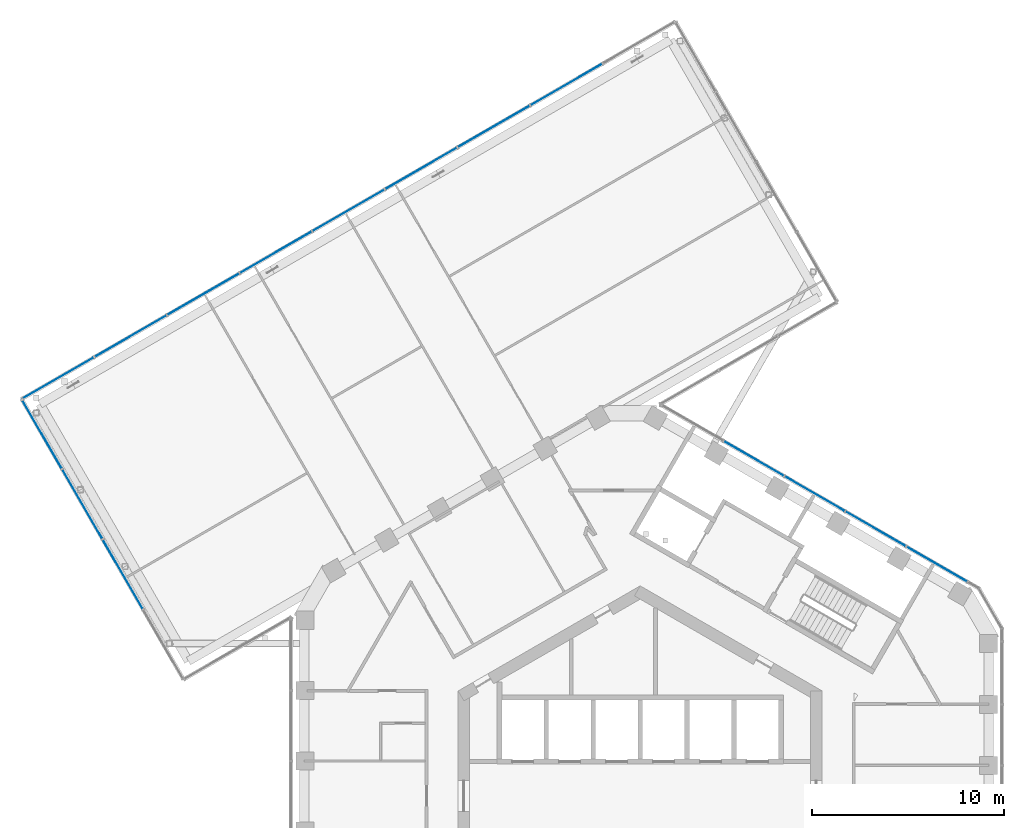
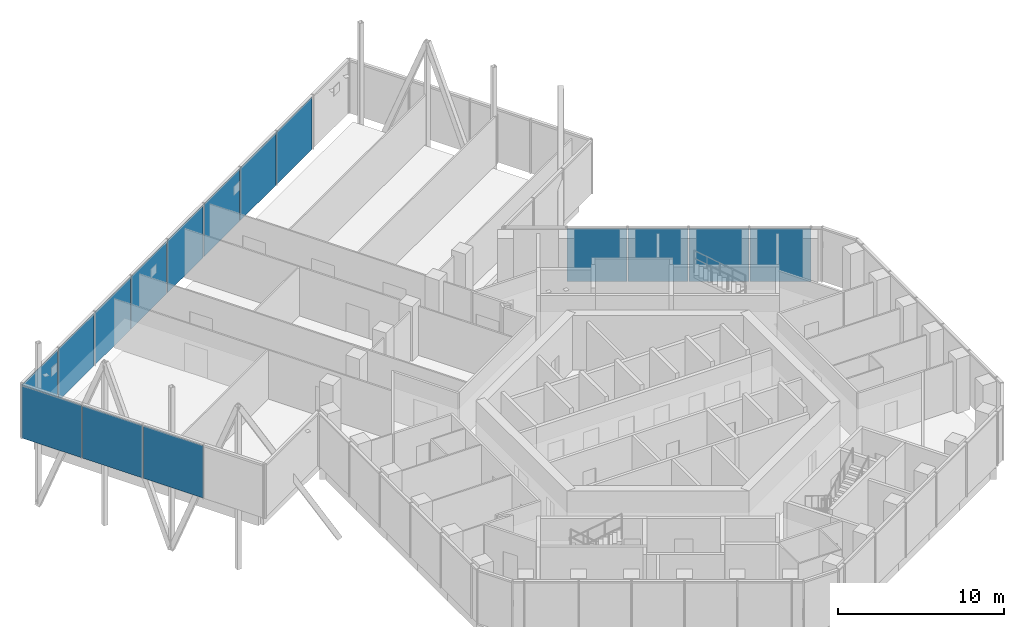
# One storey, part 13 of 21: 15 plates, 3 elements without a shape of their own.
"""IFC4 building model written with IfcOpenShell, lengths in metres."""

import ifcopenshell
import ifcopenshell.guid

model = None  # the IFC model being written
_history = None  # IfcOwnerHistory: only IFC2X3 demands one
_inside = {}  # id of a spatial element -> (the spatial element, [elements in it])
_under = {}  # id of a project, library or spatial element -> (it, [spatial elements below it])
_declared = {}  # id of a project -> (the project, [libraries it declares])
_typed = {}  # id of a type object -> (the type object, [elements of that type])
_made_of = {}  # id of a material, layer set ... -> (it, [elements and type objects made of it])


def new_model(schema):
    """Start an empty IFC model of exactly this schema.

    Asked for "IFC4X3", IfcOpenShell would pick the latest addendum, in which some entities
    have other attributes; the version numbers below select the first issue.
    IFC2X3 requires an IfcOwnerHistory on every rooted entity: one is made here for all.
    """
    global model, _history
    if schema == "IFC4X3":
        model = ifcopenshell.file(schema_version=(4, 3, 0, 0))
    else:
        model = ifcopenshell.file(schema=schema)
    _inside.clear()
    _under.clear()
    _declared.clear()
    _typed.clear()
    _made_of.clear()
    _history = None
    if model.schema == "IFC2X3":
        org = make("IfcOrganization", Name="unknown")
        user = make(
            "IfcPersonAndOrganization",
            ThePerson=make("IfcPerson", FamilyName="unknown"),
            TheOrganization=org,
        )
        app = make(
            "IfcApplication",
            ApplicationDeveloper=org,
            Version="unknown",
            ApplicationFullName="unknown",
            ApplicationIdentifier="unknown",
        )
        _history = make(
            "IfcOwnerHistory",
            OwningUser=user,
            OwningApplication=app,
            ChangeAction="ADDED",
            CreationDate=0,
        )
    return model


def make(cls, **values):
    """One entity of the class cls with the attributes given. An attribute that is None is left unset."""
    return model.create_entity(
        cls, **{name: value for name, value in values.items() if value is not None}
    )


def rooted(cls, **values):
    """An entity with a GlobalId (a new one), such as an element, a storey or a relation."""
    return make(cls, GlobalId=ifcopenshell.guid.new(), OwnerHistory=_history, **values)


def si_unit(unit_type, name, prefix=None):
    """IfcSIUnit, for example si_unit("LENGTHUNIT", "METRE", prefix="MILLI")."""
    return make("IfcSIUnit", UnitType=unit_type, Prefix=prefix, Name=name)


def assignment(units):
    """IfcUnitAssignment: the units of a project."""
    return None if units is None else make("IfcUnitAssignment", Units=units)


def point(xyz):
    """IfcCartesianPoint."""
    return None if xyz is None else make("IfcCartesianPoint", Coordinates=xyz)


def direction(xyz):
    """IfcDirection."""
    return None if xyz is None else make("IfcDirection", DirectionRatios=xyz)


def frame(location, z_axis=None, x_axis=None):
    """IfcAxis2Placement3D, a coordinate frame: its origin and axes. An axis left out is left unset."""
    return make(
        "IfcAxis2Placement3D",
        Location=point(location),
        Axis=direction(z_axis),
        RefDirection=direction(x_axis),
    )


def frame_2d(location, x_axis=None):
    """IfcAxis2Placement2D, a coordinate frame in the plane: its origin and x axis."""
    return make(
        "IfcAxis2Placement2D", Location=point(location), RefDirection=direction(x_axis)
    )


def origin():
    """The frame at (0, 0, 0) with its axes left unset."""
    return frame((0.0, 0.0, 0.0))


def origin_2d():
    """The frame at (0, 0) in the plane with its x axis left unset."""
    return frame_2d((0.0, 0.0))


def place(relative_to, where):
    """IfcLocalPlacement: puts the frame where relative to a parent placement (None: the world)."""
    return make(
        "IfcLocalPlacement", PlacementRelTo=relative_to, RelativePlacement=where
    )


def context(
    kind, dimensions, precision=None, world=None, true_north=None, identifier=None
):
    """IfcGeometricRepresentationContext, for example the 3D "Model" context."""
    return make(
        "IfcGeometricRepresentationContext",
        ContextIdentifier=identifier,
        ContextType=kind,
        CoordinateSpaceDimension=dimensions,
        Precision=precision,
        WorldCoordinateSystem=world,
        TrueNorth=true_north,
    )


def subcontext(parent, identifier, kind, view, scale=None):
    """IfcGeometricRepresentationSubContext, for example "Body" below "Model"."""
    return make(
        "IfcGeometricRepresentationSubContext",
        ContextIdentifier=identifier,
        ContextType=kind,
        ParentContext=parent,
        TargetScale=scale,
        TargetView=view,
    )


def project(units=None, contexts=None):
    """IfcProject with its units and contexts."""
    return rooted(
        "IfcProject",
        Name="project",
        RepresentationContexts=contexts,
        UnitsInContext=assignment(units),
    )


def spatial(cls, under=None, at=None, **own):
    """A site, building, storey or space (cls), placed at a placement, below another one or the project."""
    s = rooted(cls, ObjectPlacement=at, **own)
    if under is not None:
        _under.setdefault(under.id(), (under, []))[1].append(s)
    return s


def profile(cls, at=None, kind="AREA", **sizes):
    """A parametric profile (cls). Its sizes go by their IFC names, for example OverallWidth=200.0."""
    return make(cls, ProfileType=kind, Position=at, **sizes)


def rectangle(**sizes):
    """IfcRectangleProfileDef."""
    return profile("IfcRectangleProfileDef", **sizes)


def extrude(swept, where, along, depth):
    """IfcExtrudedAreaSolid: the profile swept, set in the frame where, extruded along a direction by depth."""
    return make(
        "IfcExtrudedAreaSolid",
        SweptArea=swept,
        Position=where,
        ExtrudedDirection=direction(along),
        Depth=depth,
    )


def shape(context_of_items, identifier, shape_type, items):
    """IfcShapeRepresentation: the items that make up one representation, for example the "Body"."""
    return make(
        "IfcShapeRepresentation",
        ContextOfItems=context_of_items,
        RepresentationIdentifier=identifier,
        RepresentationType=shape_type,
        Items=items,
    )


def material(Name=None, Category=None):
    """IfcMaterial."""
    return make("IfcMaterial", Name=Name, Category=Category)


def layer(
    of_material, thickness, ventilated=None, Name=None, Category=None, Priority=None
):
    """IfcMaterialLayer: one layer of a wall or slab, of a material (None: an air gap)."""
    return make(
        "IfcMaterialLayer",
        Material=of_material,
        LayerThickness=thickness,
        IsVentilated=ventilated,
        Name=Name,
        Category=Category,
        Priority=Priority,
    )


def layer_set(layers, Name=None):
    """IfcMaterialLayerSet."""
    return make("IfcMaterialLayerSet", MaterialLayers=layers, LayerSetName=Name)


def made_of(thing, what):
    """Note that an element or type object is made of a material, layer set ...; save() writes the relation."""
    if what is not None:
        _made_of.setdefault(what.id(), (what, []))[1].append(thing)
    return thing


def type_object(cls, material=None, **own):
    """A type object (cls), such as IfcWallType, which elements share."""
    return made_of(rooted(cls, **own), material)


def element(
    cls,
    number,
    at=None,
    inside=None,
    cuts=None,
    type_object=None,
    material=None,
    context=None,
    identifier="Body",
    shape_type=None,
    held_by="IfcProductDefinitionShape",
    body=None,
    shapes=None,
    **own,
):
    """One element of the class cls, such as IfcWall. Its Tag is "e" and its number.

    at: its placement. inside: the storey or other place that contains it. cuts: it is an
    opening in that element (IfcRelVoidsElement). A single representation is given by context,
    identifier, shape_type and body (its items); several are given by shapes. held_by: the class
    of the entity that holds the representations. save() writes the other relations.
    """
    e = rooted(cls, Tag="e%d" % number, ObjectPlacement=at, **own)
    if body is not None:
        shapes = [shape(context, identifier, shape_type, body)]
    if shapes is not None:
        e.Representation = make(held_by, Representations=shapes)
    if inside is not None:
        _inside.setdefault(inside.id(), (inside, []))[1].append(e)
    if cuts is not None:
        rooted(
            "IfcRelVoidsElement", RelatingBuildingElement=cuts, RelatedOpeningElement=e
        )
    if type_object is not None:
        _typed.setdefault(type_object.id(), (type_object, []))[1].append(e)
    return made_of(e, material)


def aggregate(whole, parts):
    """IfcRelAggregates: a whole, such as a stair, and the parts it consists of."""
    return rooted("IfcRelAggregates", RelatingObject=whole, RelatedObjects=parts)


def save(model, path):
    """Write the relations noted so far, then the file.

    IfcRelAggregates (storeys below a building ...), IfcRelContainedInSpatialStructure (elements
    in a storey), IfcRelDefinesByType, IfcRelAssociatesMaterial and IfcRelDeclares: one each for
    every whole, place, type object, material and project.
    """
    for whole, parts in _under.values():
        aggregate(whole, parts)
    for where, things in _inside.values():
        rooted(
            "IfcRelContainedInSpatialStructure",
            RelatedElements=things,
            RelatingStructure=where,
        )
    for kind, things in _typed.values():
        rooted("IfcRelDefinesByType", RelatedObjects=things, RelatingType=kind)
    for what, things in _made_of.values():
        rooted("IfcRelAssociatesMaterial", RelatedObjects=things, RelatingMaterial=what)
    for by, libraries in _declared.values():
        rooted("IfcRelDeclares", RelatingContext=by, RelatedDefinitions=libraries)
    model.write(path)


model = new_model("IFC4")

# Units and contexts
model_context = context("Model", 3, precision=1e-05, world=origin(), true_north=direction((0.0, 1.0)))
body_context = subcontext(model_context, "Body", "Model", "MODEL_VIEW")
ifc_project = project(units=[si_unit("LENGTHUNIT", "METRE"), si_unit("AREAUNIT", "SQUARE_METRE"), si_unit("VOLUMEUNIT", "CUBIC_METRE"), si_unit("PLANEANGLEUNIT", "RADIAN"), si_unit("MASSUNIT", "GRAM", prefix="KILO")], contexts=[model_context])

# Site, building, storey
site_placement = place(None, origin())
site = spatial("IfcSite", under=ifc_project, at=site_placement, CompositionType="ELEMENT")
building_placement = place(site_placement, origin())
building = spatial("IfcBuilding", under=site, at=building_placement, Name="Ayvan Gate Tower", CompositionType="ELEMENT")
storey_placement = place(building_placement, frame((0.0, 0.0, 190.699951171875)))
storey = spatial("IfcBuildingStorey", under=building, at=storey_placement, Name="L51", CompositionType="ELEMENT", Elevation=190.699951171875)

# Curtain wall, plates
ifc_material_1 = material(Name="Bronze anodised aluminium", Category="aluminium")
ifc_layer_1 = layer(ifc_material_1, 0.199951171875)
ifc_layer_set_1 = layer_set([ifc_layer_1], Name="Bronze anodised aluminium")
curtain_wall_type_1 = type_object("IfcCurtainWallType", Name="Stick curtain wall CW-2", PredefinedType="NOTDEFINED", material=ifc_layer_set_1)
curtain_wall_1_placement = place(storey_placement, origin())
curtain_wall_1 = element("IfcCurtainWall", 1, at=curtain_wall_1_placement, inside=storey, type_object=curtain_wall_type_1, Name="Stick curtain wall CW-2 L51", PredefinedType="NOTDEFINED")
ifc_material_2 = material(Name="Clear low-iron laminated glass", Category="glass")
ifc_layer_2 = layer(ifc_material_2, 0.028076171875)
ifc_layer_set_2 = layer_set([ifc_layer_2], Name="Clear low-iron laminated glass")
plate_type_1 = type_object("IfcPlateType", Name="Stick curtain wall CW-2 glass panel", PredefinedType="CURTAIN_PANEL", material=ifc_layer_set_2)
plate_1_placement = place(storey_placement, frame((15.496826171875, 12.09521484375, 0.0), z_axis=(0.0, 0.0, 1.0), x_axis=(-0.866025403784, 0.5, 0.0)))
plate_1 = element("IfcPlate", 2, at=plate_1_placement, type_object=plate_type_1, Name="CW-2 glass panel 1", PredefinedType="CURTAIN_PANEL", context=body_context, shape_type="SweptSolid", body=[
    extrude(rectangle(XDim=3.669921875, YDim=0.028076171875, at=origin_2d()), origin(), (0.0, 0.0, 1.0), 3.8798828125),
])
plate_2_placement = place(storey_placement, frame((12.28857421875, 13.947509765625, 0.0), z_axis=(0.0, 0.0, 1.0), x_axis=(-0.866025403784, 0.5, 0.0)))
plate_2 = element("IfcPlate", 3, at=plate_2_placement, type_object=plate_type_1, Name="CW-2 glass panel 2", PredefinedType="CURTAIN_PANEL", context=body_context, shape_type="SweptSolid", body=[
    extrude(rectangle(XDim=3.59912109375, YDim=0.028076171875, at=origin_2d()), origin(), (0.0, 0.0, 1.0), 3.8798828125),
])
plate_3_placement = place(storey_placement, frame((9.111572265625, 15.78173828125, 0.0), z_axis=(0.0, 0.0, 1.0), x_axis=(-0.866025403784, 0.5, 0.0)))
plate_3 = element("IfcPlate", 4, at=plate_3_placement, type_object=plate_type_1, Name="CW-2 glass panel 3", PredefinedType="CURTAIN_PANEL", context=body_context, shape_type="SweptSolid", body=[
    extrude(rectangle(XDim=3.597900390625, YDim=0.028076171875, at=origin_2d()), origin(), (0.0, 0.0, 1.0), 3.8798828125),
])
plate_4_placement = place(storey_placement, frame((5.9345703125, 17.615966796875, 0.0), z_axis=(0.0, 0.0, 1.0), x_axis=(-0.866025403784, 0.5, 0.0)))
plate_4 = element("IfcPlate", 5, at=plate_4_placement, type_object=plate_type_1, Name="CW-2 glass panel 4", PredefinedType="CURTAIN_PANEL", context=body_context, shape_type="SweptSolid", body=[
    extrude(rectangle(XDim=3.59912109375, YDim=0.028076171875, at=origin_2d()), origin(), (0.0, 0.0, 1.0), 3.8798828125),
])
aggregate(curtain_wall_1, [plate_1, plate_2, plate_3, plate_4])

ifc_layer_3 = layer(ifc_material_1, 0.199951171875)
ifc_layer_set_3 = layer_set([ifc_layer_3], Name="Bronze anodised aluminium")
curtain_wall_type_2 = type_object("IfcCurtainWallType", Name="Stick curtain wall CW-4", PredefinedType="NOTDEFINED", material=ifc_layer_set_3)
curtain_wall_2_placement = place(storey_placement, origin())
curtain_wall_2 = element("IfcCurtainWall", 6, at=curtain_wall_2_placement, inside=storey, type_object=curtain_wall_type_2, Name="Stick curtain wall CW-4 L51", PredefinedType="NOTDEFINED")
ifc_material_3 = material(Name="Pale anodised aluminium composite panel", Category="aluminium")
ifc_layer_4 = layer(ifc_material_3, 0.028076171875)
ifc_layer_set_4 = layer_set([ifc_layer_4], Name="Pale anodised aluminium composite panel")
plate_type_2 = type_object("IfcPlateType", Name="Stick curtain wall CW-4 solid panel", PredefinedType="CURTAIN_PANEL", material=ifc_layer_set_4)
plate_5_placement = place(storey_placement, frame((-3.850830078125, 37.136474609375, 0.0), z_axis=(0.0, 0.0, 1.0), x_axis=(-0.866025403784, -0.5, 0.0)))
plate_5 = element("IfcPlate", 7, at=plate_5_placement, type_object=plate_type_2, Name="CW-4 solid panel 2", PredefinedType="CURTAIN_PANEL", context=body_context, shape_type="SweptSolid", body=[
    extrude(rectangle(XDim=4.2978515625, YDim=0.028076171875, at=origin_2d()), origin(), (0.0, 0.0, 1.0), 3.860107421875),
])
plate_6_placement = place(storey_placement, frame((-7.64208984375, 34.947509765625, 0.0), z_axis=(0.0, 0.0, 1.0), x_axis=(-0.866025403784, -0.5, 0.0)))
plate_6 = element("IfcPlate", 8, at=plate_6_placement, type_object=plate_type_2, Name="CW-4 solid panel 3", PredefinedType="CURTAIN_PANEL", context=body_context, shape_type="SweptSolid", body=[
    extrude(rectangle(XDim=4.2978515625, YDim=0.028076171875, at=origin_2d()), origin(), (0.0, 0.0, 1.0), 3.860107421875),
])
plate_7_placement = place(storey_placement, frame((-11.433349609375, 32.7587890625, 0.0), z_axis=(0.0, 0.0, 1.0), x_axis=(-0.866025403784, -0.5, 0.0)))
plate_7 = element("IfcPlate", 9, at=plate_7_placement, type_object=plate_type_2, Name="CW-4 solid panel 4", PredefinedType="CURTAIN_PANEL", context=body_context, shape_type="SweptSolid", body=[
    extrude(rectangle(XDim=4.2978515625, YDim=0.028076171875, at=origin_2d()), origin(), (0.0, 0.0, 1.0), 3.860107421875),
])
plate_8_placement = place(storey_placement, frame((-15.224609375, 30.56982421875, 0.0), z_axis=(0.0, 0.0, 1.0), x_axis=(-0.866025403784, -0.5, 0.0)))
plate_8 = element("IfcPlate", 10, at=plate_8_placement, type_object=plate_type_2, Name="CW-4 solid panel 5", PredefinedType="CURTAIN_PANEL", context=body_context, shape_type="SweptSolid", body=[
    extrude(rectangle(XDim=4.2978515625, YDim=0.028076171875, at=origin_2d()), origin(), (0.0, 0.0, 1.0), 3.860107421875),
])
plate_9_placement = place(storey_placement, frame((-19.015869140625, 28.380859375, 0.0), z_axis=(0.0, 0.0, 1.0), x_axis=(-0.866025403784, -0.5, 0.0)))
plate_9 = element("IfcPlate", 11, at=plate_9_placement, type_object=plate_type_2, Name="CW-4 solid panel 6", PredefinedType="CURTAIN_PANEL", context=body_context, shape_type="SweptSolid", body=[
    extrude(rectangle(XDim=4.2978515625, YDim=0.028076171875, at=origin_2d()), origin(), (0.0, 0.0, 1.0), 3.860107421875),
])
plate_10_placement = place(storey_placement, frame((-22.80712890625, 26.192138671875, 0.0), z_axis=(0.0, 0.0, 1.0), x_axis=(-0.866025403784, -0.5, 0.0)))
plate_10 = element("IfcPlate", 12, at=plate_10_placement, type_object=plate_type_2, Name="CW-4 solid panel 7", PredefinedType="CURTAIN_PANEL", context=body_context, shape_type="SweptSolid", body=[
    extrude(rectangle(XDim=4.2978515625, YDim=0.028076171875, at=origin_2d()), origin(), (0.0, 0.0, 1.0), 3.860107421875),
])
plate_11_placement = place(storey_placement, frame((-26.598388671875, 24.003173828125, 0.0), z_axis=(0.0, 0.0, 1.0), x_axis=(-0.866025403784, -0.5, 0.0)))
plate_11 = element("IfcPlate", 13, at=plate_11_placement, type_object=plate_type_2, Name="CW-4 solid panel 8", PredefinedType="CURTAIN_PANEL", context=body_context, shape_type="SweptSolid", body=[
    extrude(rectangle(XDim=4.2978515625, YDim=0.028076171875, at=origin_2d()), origin(), (0.0, 0.0, 1.0), 3.860107421875),
])
plate_12_placement = place(storey_placement, frame((-30.3896484375, 21.814208984375, 0.0), z_axis=(0.0, 0.0, 1.0), x_axis=(-0.866025403784, -0.5, 0.0)))
plate_12 = element("IfcPlate", 14, at=plate_12_placement, type_object=plate_type_2, Name="CW-4 solid panel 9", PredefinedType="CURTAIN_PANEL", context=body_context, shape_type="SweptSolid", body=[
    extrude(rectangle(XDim=4.2978515625, YDim=0.028076171875, at=origin_2d()), origin(), (0.0, 0.0, 1.0), 3.860107421875),
])
aggregate(curtain_wall_2, [plate_5, plate_6, plate_7, plate_8, plate_9, plate_10, plate_11, plate_12])

curtain_wall_3_placement = place(storey_placement, origin())
curtain_wall_3 = element("IfcCurtainWall", 15, at=curtain_wall_3_placement, inside=storey, type_object=curtain_wall_type_2, Name="Stick curtain wall CW-4 L51", PredefinedType="NOTDEFINED")
plate_13_placement = place(storey_placement, frame((-31.22900390625, 18.890380859375, 0.0), z_axis=(0.0, 0.0, 1.0), x_axis=(0.5, -0.866025403784, 0.0)))
plate_13 = element("IfcPlate", 16, at=plate_13_placement, type_object=plate_type_2, Name="CW-4 solid panel 1", PredefinedType="CURTAIN_PANEL", context=body_context, shape_type="SweptSolid", body=[
    extrude(rectangle(XDim=4.14501953125, YDim=0.028076171875, at=origin_2d()), origin(), (0.0, 0.0, 1.0), 3.860107421875),
])
plate_14_placement = place(storey_placement, frame((-29.116455078125, 15.2314453125, 0.0), z_axis=(0.0, 0.0, 1.0), x_axis=(0.5, -0.866025403784, 0.0)))
plate_14 = element("IfcPlate", 17, at=plate_14_placement, type_object=plate_type_2, Name="CW-4 solid panel 2", PredefinedType="CURTAIN_PANEL", context=body_context, shape_type="SweptSolid", body=[
    extrude(rectangle(XDim=4.14501953125, YDim=0.028076171875, at=origin_2d()), origin(), (0.0, 0.0, 1.0), 3.860107421875),
])
plate_15_placement = place(storey_placement, frame((-27.004150390625, 11.572509765625, 0.0), z_axis=(0.0, 0.0, 1.0), x_axis=(0.5, -0.866025403784, 0.0)))
plate_15 = element("IfcPlate", 18, at=plate_15_placement, type_object=plate_type_2, Name="CW-4 solid panel 3", PredefinedType="CURTAIN_PANEL", context=body_context, shape_type="SweptSolid", body=[
    extrude(rectangle(XDim=4.14501953125, YDim=0.028076171875, at=origin_2d()), origin(), (0.0, 0.0, 1.0), 3.860107421875),
])
aggregate(curtain_wall_3, [plate_13, plate_14, plate_15])

save(model, "model.ifc")
